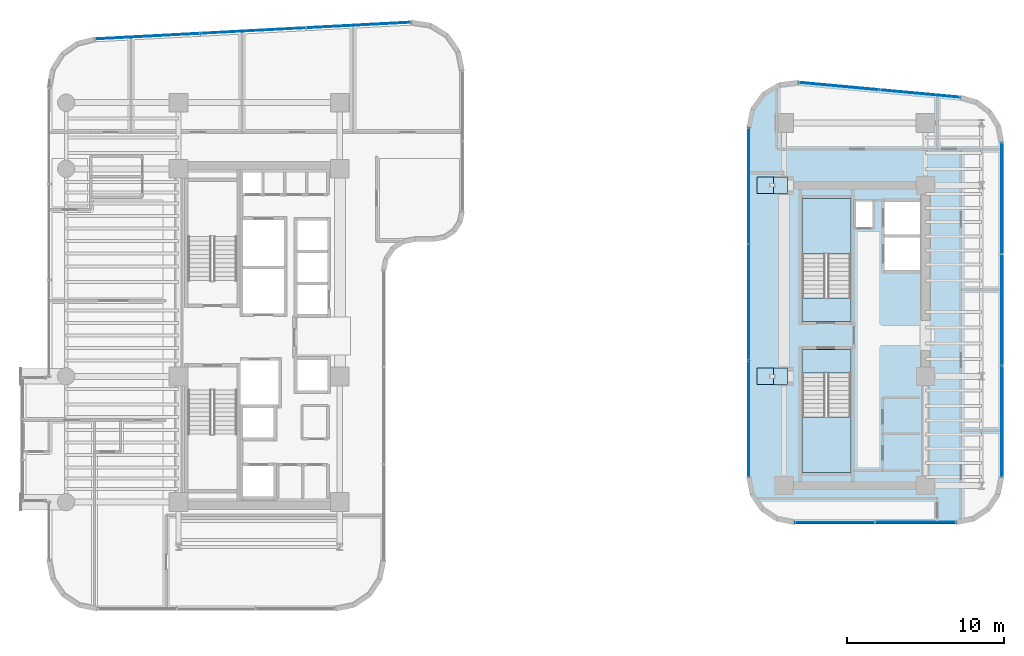
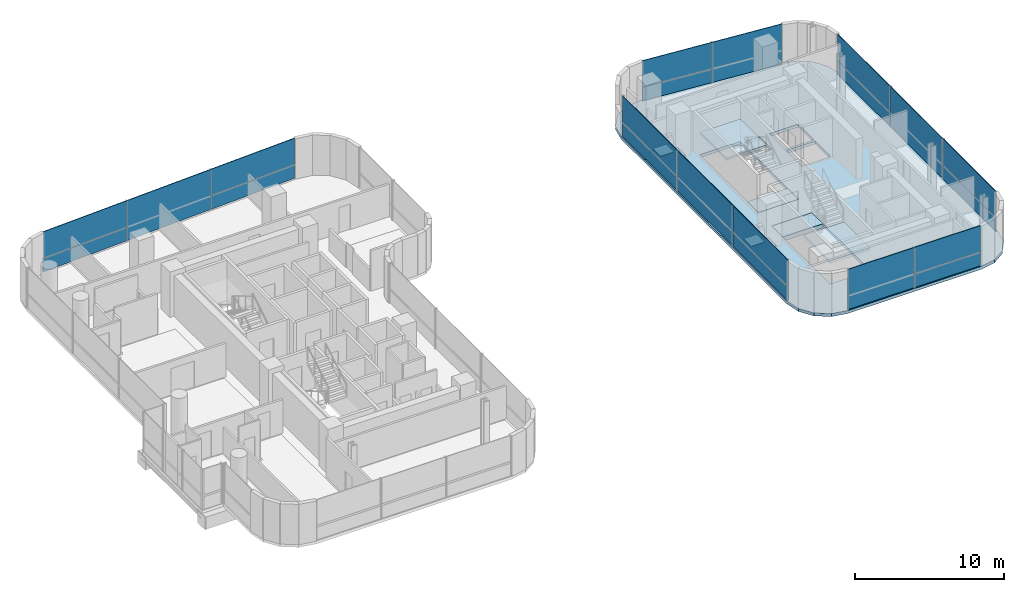
# One storey, part 25 of 35: 25 plates, 5 slabs, 7 elements without a shape of their own.
"""IFC4 building model written with IfcOpenShell, lengths in metres."""

from ifc_helpers import new_model, si_unit, direction, frame, origin, origin_2d, place, context, subcontext, project, spatial, polyline, rectangle, outline, extrude, source, transform, mapped, material, layer, layer_set, type_object, element, aggregate, save


model = new_model("IFC4")

# Units and contexts
model_context = context("Model", 3, precision=1e-05, world=origin(), true_north=direction((0.0, 1.0)))
body_context = subcontext(model_context, "Body", "Model", "MODEL_VIEW")
ifc_project = project(units=[si_unit("LENGTHUNIT", "METRE"), si_unit("AREAUNIT", "SQUARE_METRE"), si_unit("VOLUMEUNIT", "CUBIC_METRE"), si_unit("PLANEANGLEUNIT", "RADIAN"), si_unit("MASSUNIT", "GRAM", prefix="KILO")], contexts=[model_context])

# Site, building, storey
site_placement = place(None, origin())
site = spatial("IfcSite", under=ifc_project, at=site_placement, CompositionType="ELEMENT")
building_placement = place(site_placement, origin())
building = spatial("IfcBuilding", under=site, at=building_placement, Name="Valdorenza Pilgrim Sanctuary Tower", CompositionType="ELEMENT")
storey_placement = place(building_placement, frame((0.0, 0.0, 168.60009765625)))
storey = spatial("IfcBuildingStorey", under=building, at=storey_placement, Name="L43", CompositionType="ELEMENT", Elevation=168.60009765625)

# Slab
ifc_material_1 = material(Name="Concrete C40/50", Category="concrete")
ifc_layer_1 = layer(ifc_material_1, 0.239990234375, Name="Concrete C40/50")
ifc_layer_set_1 = layer_set([ifc_layer_1], Name="Concrete C40/50")
slab_type_1 = type_object("IfcSlabType", Name="SLAB-FLR-220", PredefinedType="FLOOR", material=ifc_layer_set_1)
slab_1_placement = place(storey_placement, frame((0.0, 0.0, -0.239990234375)))
element("IfcSlab", 1, at=slab_1_placement, inside=storey, type_object=slab_type_1, Name="L43 Structural Floor Slab 2", PredefinedType="FLOOR", context=body_context, shape_type="SweptSolid", body=[
    extrude(outline(polyline([(13.5, 13.211181640625), (13.75537109375, 14.422607421875), (14.478271484375, 15.427490234375), (15.54541015625, 16.055419921875), (16.77490234375, 16.198486328125), (27.074951171875, 15.250732421875), (28.135986328125, 14.949462890625), (29.016357421875, 14.28515625), (29.59716796875, 13.34765625), (29.800048828125, 12.263427734375), (29.800048828125, -9.0), (29.571533203125, -10.148193359375), (28.92138671875, -11.121337890625), (27.947998046875, -11.771484375), (26.800048828125, -12.0), (16.5, -12.0), (15.351806640625, -11.771484375), (14.378662109375, -11.121337890625), (13.728515625, -10.148193359375), (13.5, -9.0), (13.5, 13.211181640625)]), holes=[polyline([(17.0, -8.699951171875), (20.110107421875, -8.699951171875), (20.110107421875, -2.385009765625), (20.110107421875, -0.89990234375), (17.0, -0.89990234375), (17.0, -2.385009765625), (17.0, -8.699951171875)]), polyline([(17.0, 0.89990234375), (20.110107421875, 0.89990234375), (20.110107421875, 2.385009765625), (20.110107421875, 8.699951171875), (17.0, 8.699951171875), (17.0, 2.385009765625), (17.0, 0.89990234375)]), polyline([(22.25, 4.14990234375), (24.47998046875, 4.14990234375), (24.47998046875, 6.22509765625), (22.25, 6.22509765625), (22.25, 4.14990234375)]), polyline([(22.25, 6.425048828125), (24.47998046875, 6.425048828125), (24.47998046875, 8.5), (22.25, 8.5), (22.25, 6.425048828125)]), polyline([(20.409912109375, 6.860107421875), (21.489990234375, 6.860107421875), (21.489990234375, 8.52001953125), (20.409912109375, 8.52001953125), (20.409912109375, 6.860107421875)])]), origin(), (0.0, 0.0, 1.0), 0.239990234375),
])

# Stair, slab
stair_type = type_object("IfcStairType", Name="STR-DOG-CORE", PredefinedType="HALF_TURN_STAIR", material=ifc_material_1)
stair_1_placement = place(storey_placement, origin())
stair_1 = element("IfcStair", 2, at=stair_1_placement, inside=storey, type_object=stair_type, Name="L43 ST-B1", PredefinedType="HALF_TURN_STAIR")
ifc_layer_2 = layer(ifc_material_1, 0.199951171875, Name="Concrete C40/50")
ifc_layer_set_2 = layer_set([ifc_layer_2], Name="Concrete C40/50")
slab_type_2 = type_object("IfcSlabType", Name="SLAB-STL-200", PredefinedType="LANDING", material=ifc_layer_set_2)
slab_2_placement = place(storey_placement, frame((0.0, 0.0, 1.64990234375)))
slab_2 = element("IfcSlab", 3, at=slab_2_placement, type_object=slab_type_2, Name="ST-B1 landing 1", PredefinedType="LANDING", context=body_context, shape_type="SweptSolid", body=[
    extrude(outline(polyline([(20.110107421875, 5.179931640625), (20.110107421875, 8.699951171875), (17.0, 8.699951171875), (17.0, 5.179931640625), (20.110107421875, 5.179931640625)])), origin(), (0.0, 0.0, 1.0), 0.199951171875),
])
aggregate(stair_1, [slab_2])

stair_2_placement = place(storey_placement, origin())
stair_2 = element("IfcStair", 4, at=stair_2_placement, inside=storey, type_object=stair_type, Name="L43 ST-B2", PredefinedType="HALF_TURN_STAIR")
slab_3_placement = place(storey_placement, frame((0.0, 0.0, 1.64990234375)))
slab_3 = element("IfcSlab", 5, at=slab_3_placement, type_object=slab_type_2, Name="ST-B2 landing 1", PredefinedType="LANDING", context=body_context, shape_type="SweptSolid", body=[
    extrude(outline(polyline([(17.0, -5.179931640625), (17.0, -8.699951171875), (20.110107421875, -8.699951171875), (20.110107421875, -5.179931640625), (17.0, -5.179931640625)])), origin(), (0.0, 0.0, 1.0), 0.199951171875),
])
aggregate(stair_2, [slab_3])

# Slabs
ifc_material_2 = material(Name="Concrete C50/60", Category="concrete")
ifc_layer_3 = layer(ifc_material_2, 0.39990234375, Name="Concrete C50/60")
ifc_layer_set_3 = layer_set([ifc_layer_3], Name="Concrete C50/60")
slab_type_3 = type_object("IfcSlabType", Name="SLAB-TRF-400", PredefinedType="FLOOR", material=ifc_layer_set_3)
slab_4_placement = place(storey_placement, frame((0.0, 0.0, -0.360107421875)))
element("IfcSlab", 6, at=slab_4_placement, inside=storey, type_object=slab_type_3, Name="L43 ST-B1 Structural Stair Landing Bearing Slab", PredefinedType="FLOOR", context=body_context, shape_type="SweptSolid", body=[
    extrude(outline(polyline([(17.0, 0.89990234375), (20.110107421875, 0.89990234375), (20.110107421875, 2.385009765625), (17.0, 2.385009765625), (17.0, 0.89990234375)])), origin(), (0.0, 0.0, 1.0), 0.360107421875),
])
slab_5_placement = place(storey_placement, frame((0.0, 0.0, -0.360107421875)))
element("IfcSlab", 7, at=slab_5_placement, inside=storey, type_object=slab_type_3, Name="L43 ST-B2 Structural Stair Landing Bearing Slab", PredefinedType="FLOOR", context=body_context, shape_type="SweptSolid", body=[
    extrude(outline(polyline([(17.0, -2.385009765625), (20.110107421875, -2.385009765625), (20.110107421875, -0.89990234375), (17.0, -0.89990234375), (17.0, -2.385009765625)])), origin(), (0.0, 0.0, 1.0), 0.360107421875),
])

# Plates
ifc_material_3 = material(Name="Steel ASTM A572 Grade 42", Category="steel")
ifc_layer_4 = layer(ifc_material_3, 0.06005859375, Name="Steel ASTM A572 Grade 42")
ifc_layer_set_4 = layer_set([ifc_layer_4], Name="Steel ASTM A572 Grade 42")
plate_type_1 = type_object("IfcPlateType", Name="PLT-CAP-60", PredefinedType="SHEET", material=ifc_layer_set_4)
shared_shape_1 = source(origin(), body_context, "Body", "SweptSolid", [
    extrude(rectangle(XDim=1.050048828125, YDim=1.050048828125, at=origin_2d()), origin(), (0.0, 0.0, 1.0), 0.06005859375),
])
for number, where, z_axis, x_axis, name in (
    (8, (14.64990234375, 9.550048828125, 0.619873046875), (0.0, 0.0, 1.0), (1.0, 0.0, 0.0), "L43 Portal Bridge Corbel Knee-Brace Strut 1 End Connection Plate 1"),
    (9, (15.550048828125, 9.550048828125, 0.019775390625), (0.0, 0.0, 1.0), (1.0, 0.0, 0.0), "L43 Portal Bridge Corbel Knee-Brace Strut 1 End Connection Plate 2"),
    (10, (14.64990234375, -2.60009765625, 0.619873046875), (0.0, 0.0, 1.0), (1.0, 0.0, 0.0), "L43 Portal Bridge Corbel Knee-Brace Strut 2 End Connection Plate 1"),
    (11, (15.550048828125, -2.60009765625, 0.019775390625), (0.0, 0.0, 1.0), (1.0, 0.0, 0.0), "L43 Portal Bridge Corbel Knee-Brace Strut 2 End Connection Plate 2"),
):
    element("IfcPlate", number, at=place(storey_placement, frame(where, z_axis=z_axis, x_axis=x_axis)), inside=storey, type_object=plate_type_1, Name=name, PredefinedType="SHEET", context=body_context, shape_type="MappedRepresentation", body=[
        mapped(shared_shape_1, transform((0.0, 0.0, 0.0), x_axis=(1.0, 0.0, 0.0), y_axis=(0.0, 1.0, 0.0), z_axis=(0.0, 0.0, 1.0), scale=1.0)),
    ])

# Curtain wall, plates
ifc_material_4 = material(Name="Curtain-wall IGU glazing", Category="glass")
curtain_wall_type_1 = type_object("IfcCurtainWallType", Name="CW-SYS-02", PredefinedType="NOTDEFINED", material=ifc_material_4)
curtain_wall_1_placement = place(storey_placement, origin())
curtain_wall_1 = element("IfcCurtainWall", 12, at=curtain_wall_1_placement, inside=storey, type_object=curtain_wall_type_1, Name="L43 Curtain Wall CW-L43-1-6", PredefinedType="NOTDEFINED")
ifc_material_5 = material(Name="Honed travertine limestone", Category="masonry")
ifc_layer_5 = layer(ifc_material_5, 0.050048828125, Name="Honed travertine limestone")
ifc_layer_set_5 = layer_set([ifc_layer_5], Name="Honed travertine limestone")
plate_type_2 = type_object("IfcPlateType", Name="CW-SPN-TRV", PredefinedType="USERDEFINED", material=ifc_layer_set_5)
shared_shape_2 = source(origin(), body_context, "Body", "SweptSolid", [
    extrude(rectangle(XDim=6.68212890625, YDim=0.06005859375, at=origin_2d()), origin(), (0.0, 0.0, 1.0), 1.10009765625),
])
plate_1_placement = place(storey_placement, frame((-24.606201171875, 19.027587890625, 0.009765625), z_axis=(0.0, 0.0, 1.0), x_axis=(0.998607524712, 0.052754256601, 0.0)))
plate_1 = element("IfcPlate", 13, at=plate_1_placement, type_object=plate_type_2, Name="CW-L43-1-6 Travertine Spandrel 1", ObjectType="SPANDREL", PredefinedType="USERDEFINED", context=body_context, shape_type="MappedRepresentation", body=[
    mapped(shared_shape_2, transform((0.0, 0.0, 0.0), x_axis=(1.0, 0.0, 0.0), y_axis=(0.0, 1.0, 0.0), z_axis=(0.0, 0.0, 1.0), scale=1.0)),
])
plate_2_placement = place(storey_placement, frame((-11.220703125, 19.73486328125, 0.009765625), z_axis=(0.0, 0.0, 1.0), x_axis=(0.998607524712, 0.052754256601, 0.0)))
plate_2 = element("IfcPlate", 14, at=plate_2_placement, type_object=plate_type_2, Name="CW-L43-1-6 Travertine Spandrel 3", ObjectType="SPANDREL", PredefinedType="USERDEFINED", context=body_context, shape_type="MappedRepresentation", body=[
    mapped(shared_shape_2, transform((0.0, 0.0, 0.0), x_axis=(1.0, 0.0, 0.0), y_axis=(0.0, 1.0, 0.0), z_axis=(0.0, 0.0, 1.0), scale=1.0)),
])

curtain_wall_type_2 = type_object("IfcCurtainWallType", Name="CW-SYS-03", PredefinedType="NOTDEFINED", material=ifc_material_4)
curtain_wall_2_placement = place(storey_placement, origin())
curtain_wall_2 = element("IfcCurtainWall", 15, at=curtain_wall_2_placement, inside=storey, type_object=curtain_wall_type_2, Name="L43 Curtain Wall CW-L43-2-1", PredefinedType="NOTDEFINED")
shared_shape_3 = source(origin(), body_context, "Body", "SweptSolid", [
    extrude(rectangle(XDim=7.376220703125, YDim=0.06005859375, at=origin_2d()), origin(), (0.0, 0.0, 1.0), 1.10009765625),
])
plate_3_placement = place(storey_placement, frame((13.610107421875, -5.291015625, 0.009765625), z_axis=(0.0, 0.0, 1.0), x_axis=(0.0, 1.0, 0.0)))
plate_3 = element("IfcPlate", 16, at=plate_3_placement, type_object=plate_type_2, Name="CW-L43-2-1 Travertine Spandrel 1", ObjectType="SPANDREL", PredefinedType="USERDEFINED", context=body_context, shape_type="MappedRepresentation", body=[
    mapped(shared_shape_3, transform((0.0, 0.0, 0.0), x_axis=(1.0, 0.0, 0.0), y_axis=(0.0, 1.0, 0.0), z_axis=(0.0, 0.0, 1.0), scale=1.0)),
])
plate_4_placement = place(storey_placement, frame((13.610107421875, 9.501708984375, 0.009765625), z_axis=(0.0, 0.0, 1.0), x_axis=(0.0, 1.0, 0.0)))
plate_4 = element("IfcPlate", 17, at=plate_4_placement, type_object=plate_type_2, Name="CW-L43-2-1 Travertine Spandrel 3", ObjectType="SPANDREL", PredefinedType="USERDEFINED", context=body_context, shape_type="MappedRepresentation", body=[
    mapped(shared_shape_3, transform((0.0, 0.0, 0.0), x_axis=(1.0, 0.0, 0.0), y_axis=(0.0, 1.0, 0.0), z_axis=(0.0, 0.0, 1.0), scale=1.0)),
])

# Curtain wall, plate
curtain_wall_3_placement = place(storey_placement, origin())
curtain_wall_3 = element("IfcCurtainWall", 18, at=curtain_wall_3_placement, inside=storey, type_object=curtain_wall_type_2, Name="L43 Curtain Wall CW-L43-2-6", PredefinedType="NOTDEFINED")
shared_shape_4 = source(origin(), body_context, "Body", "SweptSolid", [
    extrude(rectangle(XDim=5.14111328125, YDim=0.06005859375, at=origin_2d()), origin(), (0.0, 0.0, 1.0), 1.10009765625),
])
plate_5_placement = place(storey_placement, frame((19.345703125, 15.8515625, 0.009765625), z_axis=(0.0, 0.0, 1.0), x_axis=(0.995793741111, -0.091623278503, 0.0)))
plate_5 = element("IfcPlate", 19, at=plate_5_placement, type_object=plate_type_2, Name="CW-L43-2-6 Travertine Spandrel 1", ObjectType="SPANDREL", PredefinedType="USERDEFINED", context=body_context, shape_type="MappedRepresentation", body=[
    mapped(shared_shape_4, transform((0.0, 0.0, 0.0), x_axis=(1.0, 0.0, 0.0), y_axis=(0.0, 1.0, 0.0), z_axis=(0.0, 0.0, 1.0), scale=1.0)),
])

# Curtain wall, plates
curtain_wall_4_placement = place(storey_placement, origin())
curtain_wall_4 = element("IfcCurtainWall", 20, at=curtain_wall_4_placement, inside=storey, type_object=curtain_wall_type_2, Name="L43 Curtain Wall CW-L43-2-11", PredefinedType="NOTDEFINED")
shared_shape_5 = source(origin(), body_context, "Body", "SweptSolid", [
    extrude(rectangle(XDim=7.060791015625, YDim=0.06005859375, at=origin_2d()), origin(), (0.0, 0.0, 1.0), 1.10009765625),
])
plate_6_placement = place(storey_placement, frame((29.68994140625, 8.712890625, 0.009765625), z_axis=(0.0, 0.0, 1.0), x_axis=(0.0, -1.0, 0.0)))
plate_6 = element("IfcPlate", 21, at=plate_6_placement, type_object=plate_type_2, Name="CW-L43-2-11 Travertine Spandrel 1", ObjectType="SPANDREL", PredefinedType="USERDEFINED", context=body_context, shape_type="MappedRepresentation", body=[
    mapped(shared_shape_5, transform((0.0, 0.0, 0.0), x_axis=(1.0, 0.0, 0.0), y_axis=(0.0, 1.0, 0.0), z_axis=(0.0, 0.0, 1.0), scale=1.0)),
])
plate_7_placement = place(storey_placement, frame((29.68994140625, -5.44873046875, 0.009765625), z_axis=(0.0, 0.0, 1.0), x_axis=(0.0, -1.0, 0.0)))
plate_7 = element("IfcPlate", 22, at=plate_7_placement, type_object=plate_type_2, Name="CW-L43-2-11 Travertine Spandrel 3", ObjectType="SPANDREL", PredefinedType="USERDEFINED", context=body_context, shape_type="MappedRepresentation", body=[
    mapped(shared_shape_5, transform((0.0, 0.0, 0.0), x_axis=(1.0, 0.0, 0.0), y_axis=(0.0, 1.0, 0.0), z_axis=(0.0, 0.0, 1.0), scale=1.0)),
])

# Curtain wall, plate
curtain_wall_5_placement = place(storey_placement, origin())
curtain_wall_5 = element("IfcCurtainWall", 23, at=curtain_wall_5_placement, inside=storey, type_object=curtain_wall_type_2, Name="L43 Curtain Wall CW-L43-2-16", PredefinedType="NOTDEFINED")
shared_shape_6 = source(origin(), body_context, "Body", "SweptSolid", [
    extrude(rectangle(XDim=5.119140625, YDim=0.06005859375, at=origin_2d()), origin(), (0.0, 0.0, 1.0), 1.10009765625),
])
plate_8_placement = place(storey_placement, frame((24.219482421875, -11.889892578125, 0.009765625), z_axis=(0.0, 0.0, 1.0), x_axis=(-1.0, 0.0, 0.0)))
plate_8 = element("IfcPlate", 24, at=plate_8_placement, type_object=plate_type_2, Name="CW-L43-2-16 Travertine Spandrel 1", ObjectType="SPANDREL", PredefinedType="USERDEFINED", context=body_context, shape_type="MappedRepresentation", body=[
    mapped(shared_shape_6, transform((0.0, 0.0, 0.0), x_axis=(1.0, 0.0, 0.0), y_axis=(0.0, 1.0, 0.0), z_axis=(0.0, 0.0, 1.0), scale=1.0)),
])

# Plate
ifc_material_6 = material(Name="Ceramic-fritted low-E IGU glazing", Category="glass")
ifc_layer_6 = layer(ifc_material_6, 0.035888671875, Name="Ceramic-fritted low-E IGU glazing")
ifc_layer_set_6 = layer_set([ifc_layer_6], Name="Ceramic-fritted low-E IGU glazing")
plate_type_3 = type_object("IfcPlateType", Name="CW-GLZ-IGU", PredefinedType="USERDEFINED", material=ifc_layer_set_6)
shared_shape_7 = source(origin(), body_context, "Body", "SweptSolid", [
    extrude(rectangle(XDim=6.68212890625, YDim=0.050048828125, at=origin_2d()), origin(), (0.0, 0.0, 1.0), 2.159912109375),
])
plate_9_placement = place(storey_placement, frame((-24.606201171875, 19.027587890625, 1.1298828125), z_axis=(0.0, 0.0, 1.0), x_axis=(0.998607524712, 0.052754256601, 0.0)))
plate_9 = element("IfcPlate", 25, at=plate_9_placement, type_object=plate_type_3, Name="CW-L43-1-6 Facade Panel 1", ObjectType="GLAZING", PredefinedType="USERDEFINED", context=body_context, shape_type="MappedRepresentation", body=[
    mapped(shared_shape_7, transform((0.0, 0.0, 0.0), x_axis=(1.0, 0.0, 0.0), y_axis=(0.0, 1.0, 0.0), z_axis=(0.0, 0.0, 1.0), scale=1.0)),
])

plate_10_placement = place(storey_placement, frame((-11.220703125, 19.73486328125, 1.1298828125), z_axis=(0.0, 0.0, 1.0), x_axis=(0.998607524712, 0.052754256601, 0.0)))
plate_10 = element("IfcPlate", 26, at=plate_10_placement, type_object=plate_type_3, Name="CW-L43-1-6 Facade Panel 3", ObjectType="GLAZING", PredefinedType="USERDEFINED", context=body_context, shape_type="MappedRepresentation", body=[
    mapped(shared_shape_7, transform((0.0, 0.0, 0.0), x_axis=(1.0, 0.0, 0.0), y_axis=(0.0, 1.0, 0.0), z_axis=(0.0, 0.0, 1.0), scale=1.0)),
])

shared_shape_8 = source(origin(), body_context, "Body", "SweptSolid", [
    extrude(rectangle(XDim=6.68212890625, YDim=0.050048828125, at=origin_2d()), origin(), (0.0, 0.0, 1.0), 3.280029296875),
])
plate_11_placement = place(storey_placement, frame((-17.913330078125, 19.381103515625, 0.009765625), z_axis=(0.0, 0.0, 1.0), x_axis=(0.998607524712, 0.052754256601, 0.0)))
plate_11 = element("IfcPlate", 27, at=plate_11_placement, type_object=plate_type_3, Name="CW-L43-1-6 Full-Height Facade Panel 2", ObjectType="GLAZING", PredefinedType="USERDEFINED", context=body_context, shape_type="MappedRepresentation", body=[
    mapped(shared_shape_8, transform((0.0, 0.0, 0.0), x_axis=(1.0, 0.0, 0.0), y_axis=(0.0, 1.0, 0.0), z_axis=(0.0, 0.0, 1.0), scale=1.0)),
])

aggregate(curtain_wall_1, [plate_1, plate_9, plate_11, plate_2, plate_10])

shared_shape_9 = source(origin(), body_context, "Body", "SweptSolid", [
    extrude(rectangle(XDim=7.376220703125, YDim=0.050048828125, at=origin_2d()), origin(), (0.0, 0.0, 1.0), 2.159912109375),
])
plate_12_placement = place(storey_placement, frame((13.610107421875, -5.291015625, 1.1298828125), z_axis=(0.0, 0.0, 1.0), x_axis=(0.0, 1.0, 0.0)))
plate_12 = element("IfcPlate", 28, at=plate_12_placement, type_object=plate_type_3, Name="CW-L43-2-1 Facade Panel 1", ObjectType="GLAZING", PredefinedType="USERDEFINED", context=body_context, shape_type="MappedRepresentation", body=[
    mapped(shared_shape_9, transform((0.0, 0.0, 0.0), x_axis=(1.0, 0.0, 0.0), y_axis=(0.0, 1.0, 0.0), z_axis=(0.0, 0.0, 1.0), scale=1.0)),
])

plate_13_placement = place(storey_placement, frame((13.610107421875, 9.501708984375, 1.1298828125), z_axis=(0.0, 0.0, 1.0), x_axis=(0.0, 1.0, 0.0)))
plate_13 = element("IfcPlate", 29, at=plate_13_placement, type_object=plate_type_3, Name="CW-L43-2-1 Facade Panel 3", ObjectType="GLAZING", PredefinedType="USERDEFINED", context=body_context, shape_type="MappedRepresentation", body=[
    mapped(shared_shape_9, transform((0.0, 0.0, 0.0), x_axis=(1.0, 0.0, 0.0), y_axis=(0.0, 1.0, 0.0), z_axis=(0.0, 0.0, 1.0), scale=1.0)),
])

shared_shape_10 = source(origin(), body_context, "Body", "SweptSolid", [
    extrude(rectangle(XDim=7.376220703125, YDim=0.050048828125, at=origin_2d()), origin(), (0.0, 0.0, 1.0), 3.280029296875),
])
plate_14_placement = place(storey_placement, frame((13.610107421875, 2.105224609375, 0.009765625), z_axis=(0.0, 0.0, 1.0), x_axis=(0.0, 1.0, 0.0)))
plate_14 = element("IfcPlate", 30, at=plate_14_placement, type_object=plate_type_3, Name="CW-L43-2-1 Full-Height Facade Panel 2", ObjectType="GLAZING", PredefinedType="USERDEFINED", context=body_context, shape_type="MappedRepresentation", body=[
    mapped(shared_shape_10, transform((0.0, 0.0, 0.0), x_axis=(1.0, 0.0, 0.0), y_axis=(0.0, 1.0, 0.0), z_axis=(0.0, 0.0, 1.0), scale=1.0)),
])

aggregate(curtain_wall_2, [plate_3, plate_12, plate_14, plate_4, plate_13])

shared_shape_11 = source(origin(), body_context, "Body", "SweptSolid", [
    extrude(rectangle(XDim=5.14111328125, YDim=0.050048828125, at=origin_2d()), origin(), (0.0, 0.0, 1.0), 2.159912109375),
])
plate_15_placement = place(storey_placement, frame((19.345703125, 15.8515625, 1.1298828125), z_axis=(0.0, 0.0, 1.0), x_axis=(0.995793741111, -0.091623278503, 0.0)))
plate_15 = element("IfcPlate", 31, at=plate_15_placement, type_object=plate_type_3, Name="CW-L43-2-6 Facade Panel 1", ObjectType="GLAZING", PredefinedType="USERDEFINED", context=body_context, shape_type="MappedRepresentation", body=[
    mapped(shared_shape_11, transform((0.0, 0.0, 0.0), x_axis=(1.0, 0.0, 0.0), y_axis=(0.0, 1.0, 0.0), z_axis=(0.0, 0.0, 1.0), scale=1.0)),
])

shared_shape_12 = source(origin(), body_context, "Body", "SweptSolid", [
    extrude(rectangle(XDim=5.14111328125, YDim=0.050048828125, at=origin_2d()), origin(), (0.0, 0.0, 1.0), 3.280029296875),
])
plate_16_placement = place(storey_placement, frame((24.485107421875, 15.378662109375, 0.009765625), z_axis=(0.0, 0.0, 1.0), x_axis=(0.995793741111, -0.091623278503, 0.0)))
plate_16 = element("IfcPlate", 32, at=plate_16_placement, type_object=plate_type_3, Name="CW-L43-2-6 Full-Height Facade Panel 2", ObjectType="GLAZING", PredefinedType="USERDEFINED", context=body_context, shape_type="MappedRepresentation", body=[
    mapped(shared_shape_12, transform((0.0, 0.0, 0.0), x_axis=(1.0, 0.0, 0.0), y_axis=(0.0, 1.0, 0.0), z_axis=(0.0, 0.0, 1.0), scale=1.0)),
])

aggregate(curtain_wall_3, [plate_5, plate_15, plate_16])

shared_shape_13 = source(origin(), body_context, "Body", "SweptSolid", [
    extrude(rectangle(XDim=7.060791015625, YDim=0.050048828125, at=origin_2d()), origin(), (0.0, 0.0, 1.0), 2.159912109375),
])
plate_17_placement = place(storey_placement, frame((29.68994140625, 8.712890625, 1.1298828125), z_axis=(0.0, 0.0, 1.0), x_axis=(0.0, -1.0, 0.0)))
plate_17 = element("IfcPlate", 33, at=plate_17_placement, type_object=plate_type_3, Name="CW-L43-2-11 Facade Panel 1", ObjectType="GLAZING", PredefinedType="USERDEFINED", context=body_context, shape_type="MappedRepresentation", body=[
    mapped(shared_shape_13, transform((0.0, 0.0, 0.0), x_axis=(1.0, 0.0, 0.0), y_axis=(0.0, 1.0, 0.0), z_axis=(0.0, 0.0, 1.0), scale=1.0)),
])

plate_18_placement = place(storey_placement, frame((29.68994140625, -5.44873046875, 1.1298828125), z_axis=(0.0, 0.0, 1.0), x_axis=(0.0, -1.0, 0.0)))
plate_18 = element("IfcPlate", 34, at=plate_18_placement, type_object=plate_type_3, Name="CW-L43-2-11 Facade Panel 3", ObjectType="GLAZING", PredefinedType="USERDEFINED", context=body_context, shape_type="MappedRepresentation", body=[
    mapped(shared_shape_13, transform((0.0, 0.0, 0.0), x_axis=(1.0, 0.0, 0.0), y_axis=(0.0, 1.0, 0.0), z_axis=(0.0, 0.0, 1.0), scale=1.0)),
])

shared_shape_14 = source(origin(), body_context, "Body", "SweptSolid", [
    extrude(rectangle(XDim=7.060791015625, YDim=0.050048828125, at=origin_2d()), origin(), (0.0, 0.0, 1.0), 3.280029296875),
])
plate_19_placement = place(storey_placement, frame((29.68994140625, 1.632080078125, 0.009765625), z_axis=(0.0, 0.0, 1.0), x_axis=(0.0, -1.0, 0.0)))
plate_19 = element("IfcPlate", 35, at=plate_19_placement, type_object=plate_type_3, Name="CW-L43-2-11 Full-Height Facade Panel 2", ObjectType="GLAZING", PredefinedType="USERDEFINED", context=body_context, shape_type="MappedRepresentation", body=[
    mapped(shared_shape_14, transform((0.0, 0.0, 0.0), x_axis=(1.0, 0.0, 0.0), y_axis=(0.0, 1.0, 0.0), z_axis=(0.0, 0.0, 1.0), scale=1.0)),
])

aggregate(curtain_wall_4, [plate_6, plate_17, plate_19, plate_7, plate_18])

shared_shape_15 = source(origin(), body_context, "Body", "SweptSolid", [
    extrude(rectangle(XDim=5.119140625, YDim=0.050048828125, at=origin_2d()), origin(), (0.0, 0.0, 1.0), 2.159912109375),
])
plate_20_placement = place(storey_placement, frame((24.219482421875, -11.889892578125, 1.1298828125), z_axis=(0.0, 0.0, 1.0), x_axis=(-1.0, 0.0, 0.0)))
plate_20 = element("IfcPlate", 36, at=plate_20_placement, type_object=plate_type_3, Name="CW-L43-2-16 Facade Panel 1", ObjectType="GLAZING", PredefinedType="USERDEFINED", context=body_context, shape_type="MappedRepresentation", body=[
    mapped(shared_shape_15, transform((0.0, 0.0, 0.0), x_axis=(1.0, 0.0, 0.0), y_axis=(0.0, 1.0, 0.0), z_axis=(0.0, 0.0, 1.0), scale=1.0)),
])

shared_shape_16 = source(origin(), body_context, "Body", "SweptSolid", [
    extrude(rectangle(XDim=5.119140625, YDim=0.050048828125, at=origin_2d()), origin(), (0.0, 0.0, 1.0), 3.280029296875),
])
plate_21_placement = place(storey_placement, frame((19.080322265625, -11.889892578125, 0.009765625), z_axis=(0.0, 0.0, 1.0), x_axis=(-1.0, 0.0, 0.0)))
plate_21 = element("IfcPlate", 37, at=plate_21_placement, type_object=plate_type_3, Name="CW-L43-2-16 Full-Height Facade Panel 2", ObjectType="GLAZING", PredefinedType="USERDEFINED", context=body_context, shape_type="MappedRepresentation", body=[
    mapped(shared_shape_16, transform((0.0, 0.0, 0.0), x_axis=(1.0, 0.0, 0.0), y_axis=(0.0, 1.0, 0.0), z_axis=(0.0, 0.0, 1.0), scale=1.0)),
])

aggregate(curtain_wall_5, [plate_8, plate_20, plate_21])

save(model, "model.ifc")
